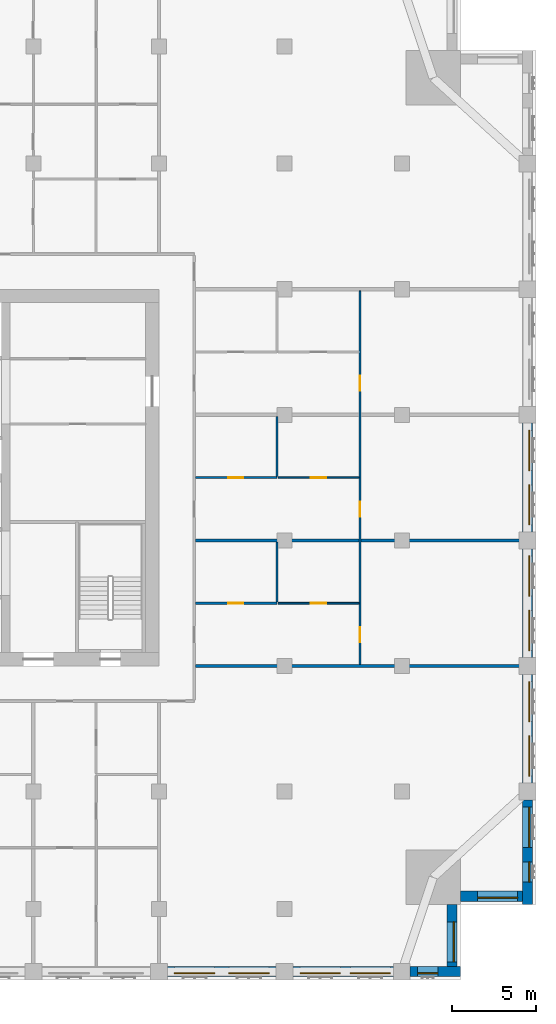
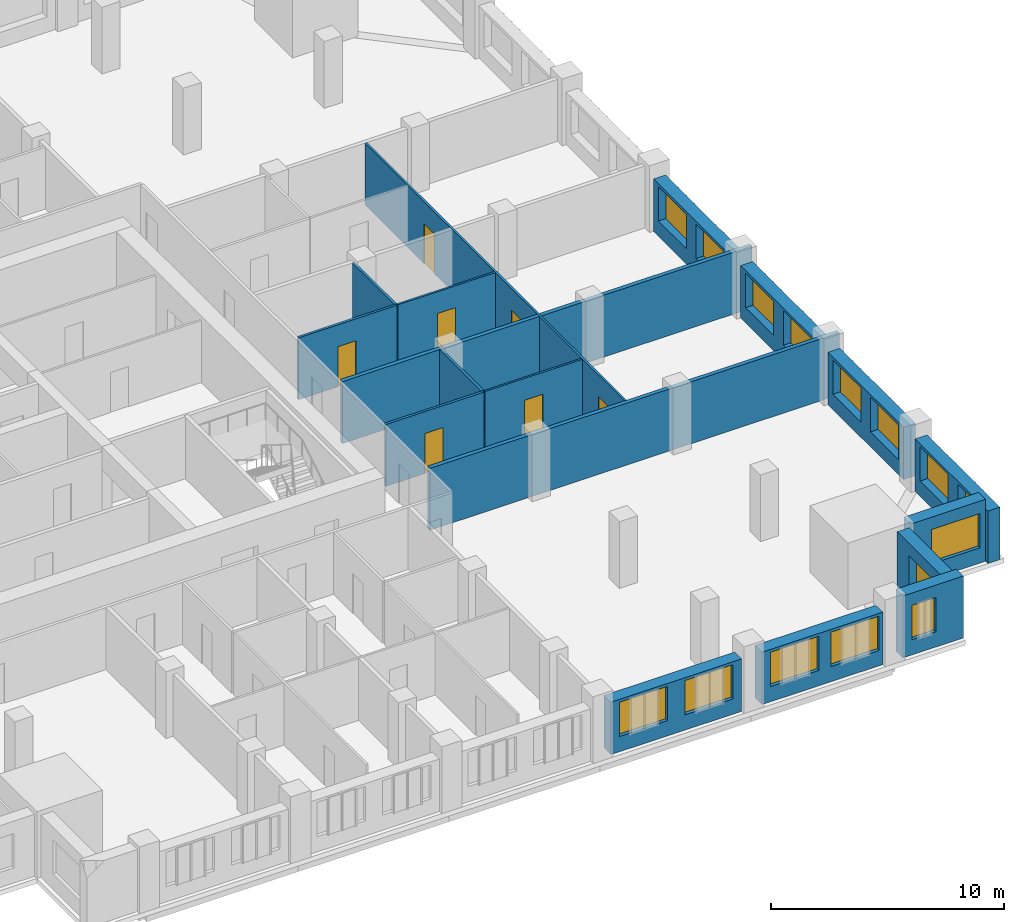
# One storey, part 8 of 14: 18 walls, 15 windows, 7 doors, 22 openings.
"""IFC4 building model written with IfcOpenShell, lengths in metres."""

from ifc_helpers import new_model, si_unit, direction, frame, frame_2d, origin, place, context, subcontext, project, spatial, rectangle, extrude, material, layer, layer_set, type_object, element, fill, save


model = new_model("IFC4")

# Units and contexts
model_context = context("Model", 3, precision=1e-05, world=origin(), true_north=direction((0.0, 1.0)))
body_context = subcontext(model_context, "Body", "Model", "MODEL_VIEW")
ifc_project = project(units=[si_unit("LENGTHUNIT", "METRE"), si_unit("AREAUNIT", "SQUARE_METRE"), si_unit("VOLUMEUNIT", "CUBIC_METRE"), si_unit("PLANEANGLEUNIT", "RADIAN"), si_unit("MASSUNIT", "GRAM", prefix="KILO")], contexts=[model_context])

# Site, building, storey
site_placement = place(None, origin())
site = spatial("IfcSite", under=ifc_project, at=site_placement, CompositionType="ELEMENT")
building_placement = place(site_placement, origin())
building = spatial("IfcBuilding", under=site, at=building_placement, Name="Tamorin Gate", CompositionType="ELEMENT")
storey_placement = place(building_placement, frame((0.0, 0.0, 203.699951171875)))
storey = spatial("IfcBuildingStorey", under=building, at=storey_placement, Name="L50", CompositionType="ELEMENT", Elevation=203.699951171875)

# Wall, openings, windows
ifc_material_1 = material(Name="Precast concrete C40/50", Category="concrete")
ifc_layer_1 = layer(ifc_material_1, 0.60009765625)
ifc_layer_set_1 = layer_set([ifc_layer_1], Name="Precast concrete C40/50")
wall_type_1 = type_object("IfcWallType", Name="Board-marked concrete facade panel 600", PredefinedType="SOLIDWALL", material=ifc_layer_set_1)
wall_1_placement = place(storey_placement, frame((60.5, 41.75, 0.0), z_axis=(0.0, 0.0, 1.0), x_axis=(1.0, 0.0, 0.0)))
wall_1 = element("IfcWall", 1, at=wall_1_placement, inside=storey, type_object=wall_type_1, Name="Facade panel", PredefinedType="SOLIDWALL", context=body_context, shape_type="SweptSolid", body=[
    extrude(rectangle(XDim=6.5, YDim=0.60009765625, at=frame_2d((3.25, 0.0))), origin(), (0.0, 0.0, 1.0), 2.75),
])
opening_1_placement = place(wall_1_placement, frame((0.425048828125, 0.0, 0.800048828125)))
opening_1 = element("IfcOpeningElement", 2, at=opening_1_placement, cuts=wall_1, Name="Opening WN1", PredefinedType="OPENING", context=body_context, shape_type="SweptSolid", body=[
    extrude(rectangle(XDim=2.39990234375, YDim=1.800048828125, at=frame_2d((1.199951171875, 0.89990234375))), frame((0.0, 0.31005859375, 0.0), z_axis=(0.0, -1.0, 0.0), x_axis=(1.0, 0.0, 0.0)), (0.0, 0.0, 1.0), 0.6201171875),
])
opening_2_placement = place(wall_1_placement, frame((3.675048828125, 0.0, 0.800048828125)))
opening_2 = element("IfcOpeningElement", 3, at=opening_2_placement, cuts=wall_1, Name="Opening WN1", PredefinedType="OPENING", context=body_context, shape_type="SweptSolid", body=[
    extrude(rectangle(XDim=2.39990234375, YDim=1.800048828125, at=frame_2d((1.199951171875, 0.89990234375))), frame((0.0, 0.31005859375, 0.0), z_axis=(0.0, -1.0, 0.0), x_axis=(1.0, 0.0, 0.0)), (0.0, 0.0, 1.0), 0.6201171875),
])
ifc_material_2 = material(Name="Clear glass in aluminium frame", Category="aluminium")
window_type_1 = type_object("IfcWindowType", Name="Deep-set window 2400x1800", PartitioningType="SINGLE_PANEL", PredefinedType="WINDOW", material=ifc_material_2)
window_1_placement = place(opening_1_placement, origin())
window_1 = element("IfcWindow", 4, at=window_1_placement, inside=storey, type_object=window_type_1, Name="Deep-set window", OverallHeight=1.800048828125, OverallWidth=2.39990234375, PartitioningType="SINGLE_PANEL", PredefinedType="WINDOW", context=body_context, shape_type="SweptSolid", body=[
    extrude(rectangle(XDim=2.39990234375, YDim=1.800048828125, at=frame_2d((1.199951171875, 0.89990234375))), frame((0.0, -0.070068359375, 0.0), z_axis=(0.0, -1.0, 0.0), x_axis=(1.0, 0.0, 0.0)), (0.0, 0.0, 1.0), 0.06005859375),
])
fill(opening_1, window_1)
window_2_placement = place(opening_2_placement, origin())
window_2 = element("IfcWindow", 5, at=window_2_placement, inside=storey, type_object=window_type_1, Name="Deep-set window", OverallHeight=1.800048828125, OverallWidth=2.39990234375, PartitioningType="SINGLE_PANEL", PredefinedType="WINDOW", context=body_context, shape_type="SweptSolid", body=[
    extrude(rectangle(XDim=2.39990234375, YDim=1.800048828125, at=frame_2d((1.199951171875, 0.89990234375))), frame((0.0, -0.070068359375, 0.0), z_axis=(0.0, -1.0, 0.0), x_axis=(1.0, 0.0, 0.0)), (0.0, 0.0, 1.0), 0.06005859375),
])
fill(opening_2, window_2)

wall_2_placement = place(storey_placement, frame((68.0, 41.75, 0.0), z_axis=(0.0, 0.0, 1.0), x_axis=(1.0, 0.0, 0.0)))
wall_2 = element("IfcWall", 6, at=wall_2_placement, inside=storey, type_object=wall_type_1, Name="Facade panel", PredefinedType="SOLIDWALL", context=body_context, shape_type="SweptSolid", body=[
    extrude(rectangle(XDim=6.0, YDim=0.60009765625, at=frame_2d((3.0, 0.0))), origin(), (0.0, 0.0, 1.0), 2.75),
])
opening_3_placement = place(wall_2_placement, frame((0.425048828125, 0.0, 0.800048828125)))
opening_3 = element("IfcOpeningElement", 7, at=opening_3_placement, cuts=wall_2, Name="Opening WN1", PredefinedType="OPENING", context=body_context, shape_type="SweptSolid", body=[
    extrude(rectangle(XDim=2.39990234375, YDim=1.800048828125, at=frame_2d((1.199951171875, 0.89990234375))), frame((0.0, 0.31005859375, 0.0), z_axis=(0.0, -1.0, 0.0), x_axis=(1.0, 0.0, 0.0)), (0.0, 0.0, 1.0), 0.6201171875),
])
opening_4_placement = place(wall_2_placement, frame((3.425048828125, 0.0, 0.800048828125)))
opening_4 = element("IfcOpeningElement", 8, at=opening_4_placement, cuts=wall_2, Name="Opening WN1", PredefinedType="OPENING", context=body_context, shape_type="SweptSolid", body=[
    extrude(rectangle(XDim=2.39990234375, YDim=1.800048828125, at=frame_2d((1.199951171875, 0.89990234375))), frame((0.0, 0.31005859375, 0.0), z_axis=(0.0, -1.0, 0.0), x_axis=(1.0, 0.0, 0.0)), (0.0, 0.0, 1.0), 0.6201171875),
])
window_3_placement = place(opening_3_placement, origin())
window_3 = element("IfcWindow", 9, at=window_3_placement, inside=storey, type_object=window_type_1, Name="Deep-set window", OverallHeight=1.800048828125, OverallWidth=2.39990234375, PartitioningType="SINGLE_PANEL", PredefinedType="WINDOW", context=body_context, shape_type="SweptSolid", body=[
    extrude(rectangle(XDim=2.39990234375, YDim=1.800048828125, at=frame_2d((1.199951171875, 0.89990234375))), frame((0.0, -0.070068359375, 0.0), z_axis=(0.0, -1.0, 0.0), x_axis=(1.0, 0.0, 0.0)), (0.0, 0.0, 1.0), 0.06005859375),
])
fill(opening_3, window_3)
window_4_placement = place(opening_4_placement, origin())
window_4 = element("IfcWindow", 10, at=window_4_placement, inside=storey, type_object=window_type_1, Name="Deep-set window", OverallHeight=1.800048828125, OverallWidth=2.39990234375, PartitioningType="SINGLE_PANEL", PredefinedType="WINDOW", context=body_context, shape_type="SweptSolid", body=[
    extrude(rectangle(XDim=2.39990234375, YDim=1.800048828125, at=frame_2d((1.199951171875, 0.89990234375))), frame((0.0, -0.070068359375, 0.0), z_axis=(0.0, -1.0, 0.0), x_axis=(1.0, 0.0, 0.0)), (0.0, 0.0, 1.0), 0.06005859375),
])
fill(opening_4, window_4)

# Wall, opening, window
wall_3_placement = place(storey_placement, frame((75.0, 41.75, 0.0), z_axis=(0.0, 0.0, 1.0), x_axis=(1.0, 0.0, 0.0)))
wall_3 = element("IfcWall", 11, at=wall_3_placement, inside=storey, type_object=wall_type_1, Name="Facade panel", PredefinedType="SOLIDWALL", context=body_context, shape_type="SweptSolid", body=[
    extrude(rectangle(XDim=3.0, YDim=0.60009765625, at=frame_2d((1.5, 0.0))), origin(), (0.0, 0.0, 1.0), 3.25),
])
opening_5_placement = place(wall_3_placement, frame((0.449951171875, 0.0, 0.800048828125)))
opening_5 = element("IfcOpeningElement", 12, at=opening_5_placement, cuts=wall_3, Name="Opening WN3", PredefinedType="OPENING", context=body_context, shape_type="SweptSolid", body=[
    extrude(rectangle(XDim=1.199951171875, YDim=1.800048828125, at=frame_2d((0.60009765625, 0.89990234375))), frame((0.0, 0.31005859375, 0.0), z_axis=(0.0, -1.0, 0.0), x_axis=(1.0, 0.0, 0.0)), (0.0, 0.0, 1.0), 0.6201171875),
])
window_type_2 = type_object("IfcWindowType", Name="Deep-set window 1200x1800", PartitioningType="SINGLE_PANEL", PredefinedType="WINDOW", material=ifc_material_2)
window_5_placement = place(opening_5_placement, origin())
window_5 = element("IfcWindow", 13, at=window_5_placement, inside=storey, type_object=window_type_2, Name="Deep-set window", OverallHeight=1.800048828125, OverallWidth=1.199951171875, PartitioningType="SINGLE_PANEL", PredefinedType="WINDOW", context=body_context, shape_type="SweptSolid", body=[
    extrude(rectangle(XDim=1.199951171875, YDim=1.800048828125, at=frame_2d((0.60009765625, 0.89990234375))), frame((0.0, -0.070068359375, 0.0), z_axis=(0.0, -1.0, 0.0), x_axis=(1.0, 0.0, 0.0)), (0.0, 0.0, 1.0), 0.06005859375),
])
fill(opening_5, window_5)

wall_4_placement = place(storey_placement, frame((77.5, 42.050048828125, 0.0), z_axis=(0.0, 0.0, 1.0), x_axis=(0.0, 1.0, 0.0)))
wall_4 = element("IfcWall", 14, at=wall_4_placement, inside=storey, type_object=wall_type_1, Name="Facade panel", PredefinedType="SOLIDWALL", context=body_context, shape_type="SweptSolid", body=[
    extrude(rectangle(XDim=3.699951171875, YDim=0.60009765625, at=frame_2d((1.85009765625, 0.0))), origin(), (0.0, 0.0, 1.0), 3.25),
])
opening_6_placement = place(wall_4_placement, frame((0.27490234375, 0.0, 0.800048828125)))
opening_6 = element("IfcOpeningElement", 15, at=opening_6_placement, cuts=wall_4, Name="Opening WN1", PredefinedType="OPENING", context=body_context, shape_type="SweptSolid", body=[
    extrude(rectangle(XDim=2.39990234375, YDim=1.800048828125, at=frame_2d((1.199951171875, 0.89990234375))), frame((0.0, 0.31005859375, 0.0), z_axis=(0.0, -1.0, 0.0), x_axis=(1.0, 0.0, 0.0)), (0.0, 0.0, 1.0), 0.6201171875),
])
window_6_placement = place(opening_6_placement, origin())
window_6 = element("IfcWindow", 16, at=window_6_placement, inside=storey, type_object=window_type_1, Name="Deep-set window", OverallHeight=1.800048828125, OverallWidth=2.39990234375, PartitioningType="SINGLE_PANEL", PredefinedType="WINDOW", context=body_context, shape_type="SweptSolid", body=[
    extrude(rectangle(XDim=2.39990234375, YDim=1.800048828125, at=frame_2d((1.199951171875, 0.89990234375))), frame((0.0, -0.070068359375, 0.0), z_axis=(0.0, -1.0, 0.0), x_axis=(1.0, 0.0, 0.0)), (0.0, 0.0, 1.0), 0.06005859375),
])
fill(opening_6, window_6)

wall_5_placement = place(storey_placement, frame((78.0, 46.25, 0.0), z_axis=(0.0, 0.0, 1.0), x_axis=(1.0, 0.0, 0.0)))
wall_5 = element("IfcWall", 17, at=wall_5_placement, inside=storey, type_object=wall_type_1, Name="Facade panel", PredefinedType="SOLIDWALL", context=body_context, shape_type="SweptSolid", body=[
    extrude(rectangle(XDim=3.699951171875, YDim=0.60009765625, at=frame_2d((1.85009765625, 0.0))), origin(), (0.0, 0.0, 1.0), 3.25),
])
opening_7_placement = place(wall_5_placement, frame((1.02490234375, 0.0, 0.800048828125)))
opening_7 = element("IfcOpeningElement", 18, at=opening_7_placement, cuts=wall_5, Name="Opening WN1", PredefinedType="OPENING", context=body_context, shape_type="SweptSolid", body=[
    extrude(rectangle(XDim=2.39990234375, YDim=1.800048828125, at=frame_2d((1.199951171875, 0.89990234375))), frame((0.0, 0.31005859375, 0.0), z_axis=(0.0, -1.0, 0.0), x_axis=(1.0, 0.0, 0.0)), (0.0, 0.0, 1.0), 0.6201171875),
])
window_7_placement = place(opening_7_placement, origin())
window_7 = element("IfcWindow", 19, at=window_7_placement, inside=storey, type_object=window_type_1, Name="Deep-set window", OverallHeight=1.800048828125, OverallWidth=2.39990234375, PartitioningType="SINGLE_PANEL", PredefinedType="WINDOW", context=body_context, shape_type="SweptSolid", body=[
    extrude(rectangle(XDim=2.39990234375, YDim=1.800048828125, at=frame_2d((1.199951171875, 0.89990234375))), frame((0.0, -0.070068359375, 0.0), z_axis=(0.0, -1.0, 0.0), x_axis=(1.0, 0.0, 0.0)), (0.0, 0.0, 1.0), 0.06005859375),
])
fill(opening_7, window_7)

# Wall, openings, windows
wall_6_placement = place(storey_placement, frame((82.0, 45.75, 0.0), z_axis=(0.0, 0.0, 1.0), x_axis=(0.0, 1.0, 0.0)))
wall_6 = element("IfcWall", 20, at=wall_6_placement, inside=storey, type_object=wall_type_1, Name="Facade panel", PredefinedType="SOLIDWALL", context=body_context, shape_type="SweptSolid", body=[
    extrude(rectangle(XDim=6.25, YDim=0.60009765625, at=frame_2d((3.125, 0.0))), origin(), (0.0, 0.0, 1.0), 2.75),
])
opening_8_placement = place(wall_6_placement, frame((1.35009765625, 0.0, 0.800048828125)))
opening_8 = element("IfcOpeningElement", 21, at=opening_8_placement, cuts=wall_6, Name="Opening WN3", PredefinedType="OPENING", context=body_context, shape_type="SweptSolid", body=[
    extrude(rectangle(XDim=1.199951171875, YDim=1.800048828125, at=frame_2d((0.60009765625, 0.89990234375))), frame((0.0, 0.31005859375, 0.0), z_axis=(0.0, -1.0, 0.0), x_axis=(1.0, 0.0, 0.0)), (0.0, 0.0, 1.0), 0.6201171875),
])
opening_9_placement = place(wall_6_placement, frame((3.425048828125, 0.0, 0.800048828125)))
opening_9 = element("IfcOpeningElement", 22, at=opening_9_placement, cuts=wall_6, Name="Opening WN1", PredefinedType="OPENING", context=body_context, shape_type="SweptSolid", body=[
    extrude(rectangle(XDim=2.39990234375, YDim=1.800048828125, at=frame_2d((1.199951171875, 0.89990234375))), frame((0.0, 0.31005859375, 0.0), z_axis=(0.0, -1.0, 0.0), x_axis=(1.0, 0.0, 0.0)), (0.0, 0.0, 1.0), 0.6201171875),
])
window_8_placement = place(opening_8_placement, origin())
window_8 = element("IfcWindow", 23, at=window_8_placement, inside=storey, type_object=window_type_2, Name="Deep-set window", OverallHeight=1.800048828125, OverallWidth=1.199951171875, PartitioningType="SINGLE_PANEL", PredefinedType="WINDOW", context=body_context, shape_type="SweptSolid", body=[
    extrude(rectangle(XDim=1.199951171875, YDim=1.800048828125, at=frame_2d((0.60009765625, 0.89990234375))), frame((0.0, -0.070068359375, 0.0), z_axis=(0.0, -1.0, 0.0), x_axis=(1.0, 0.0, 0.0)), (0.0, 0.0, 1.0), 0.06005859375),
])
fill(opening_8, window_8)
window_9_placement = place(opening_9_placement, origin())
window_9 = element("IfcWindow", 24, at=window_9_placement, inside=storey, type_object=window_type_1, Name="Deep-set window", OverallHeight=1.800048828125, OverallWidth=2.39990234375, PartitioningType="SINGLE_PANEL", PredefinedType="WINDOW", context=body_context, shape_type="SweptSolid", body=[
    extrude(rectangle(XDim=2.39990234375, YDim=1.800048828125, at=frame_2d((1.199951171875, 0.89990234375))), frame((0.0, -0.070068359375, 0.0), z_axis=(0.0, -1.0, 0.0), x_axis=(1.0, 0.0, 0.0)), (0.0, 0.0, 1.0), 0.06005859375),
])
fill(opening_9, window_9)

wall_7_placement = place(storey_placement, frame((82.0, 53.0, 0.0), z_axis=(0.0, 0.0, 1.0), x_axis=(0.0, 1.0, 0.0)))
wall_7 = element("IfcWall", 25, at=wall_7_placement, inside=storey, type_object=wall_type_1, Name="Facade panel", PredefinedType="SOLIDWALL", context=body_context, shape_type="SweptSolid", body=[
    extrude(rectangle(XDim=6.5, YDim=0.60009765625, at=frame_2d((3.25, 0.0))), origin(), (0.0, 0.0, 1.0), 2.75),
])
opening_10_placement = place(wall_7_placement, frame((0.425048828125, 0.0, 0.800048828125)))
opening_10 = element("IfcOpeningElement", 26, at=opening_10_placement, cuts=wall_7, Name="Opening WN1", PredefinedType="OPENING", context=body_context, shape_type="SweptSolid", body=[
    extrude(rectangle(XDim=2.39990234375, YDim=1.800048828125, at=frame_2d((1.199951171875, 0.89990234375))), frame((0.0, 0.31005859375, 0.0), z_axis=(0.0, -1.0, 0.0), x_axis=(1.0, 0.0, 0.0)), (0.0, 0.0, 1.0), 0.6201171875),
])
opening_11_placement = place(wall_7_placement, frame((3.675048828125, 0.0, 0.800048828125)))
opening_11 = element("IfcOpeningElement", 27, at=opening_11_placement, cuts=wall_7, Name="Opening WN1", PredefinedType="OPENING", context=body_context, shape_type="SweptSolid", body=[
    extrude(rectangle(XDim=2.39990234375, YDim=1.800048828125, at=frame_2d((1.199951171875, 0.89990234375))), frame((0.0, 0.31005859375, 0.0), z_axis=(0.0, -1.0, 0.0), x_axis=(1.0, 0.0, 0.0)), (0.0, 0.0, 1.0), 0.6201171875),
])
window_10_placement = place(opening_10_placement, origin())
window_10 = element("IfcWindow", 28, at=window_10_placement, inside=storey, type_object=window_type_1, Name="Deep-set window", OverallHeight=1.800048828125, OverallWidth=2.39990234375, PartitioningType="SINGLE_PANEL", PredefinedType="WINDOW", context=body_context, shape_type="SweptSolid", body=[
    extrude(rectangle(XDim=2.39990234375, YDim=1.800048828125, at=frame_2d((1.199951171875, 0.89990234375))), frame((0.0, -0.070068359375, 0.0), z_axis=(0.0, -1.0, 0.0), x_axis=(1.0, 0.0, 0.0)), (0.0, 0.0, 1.0), 0.06005859375),
])
fill(opening_10, window_10)
window_11_placement = place(opening_11_placement, origin())
window_11 = element("IfcWindow", 29, at=window_11_placement, inside=storey, type_object=window_type_1, Name="Deep-set window", OverallHeight=1.800048828125, OverallWidth=2.39990234375, PartitioningType="SINGLE_PANEL", PredefinedType="WINDOW", context=body_context, shape_type="SweptSolid", body=[
    extrude(rectangle(XDim=2.39990234375, YDim=1.800048828125, at=frame_2d((1.199951171875, 0.89990234375))), frame((0.0, -0.070068359375, 0.0), z_axis=(0.0, -1.0, 0.0), x_axis=(1.0, 0.0, 0.0)), (0.0, 0.0, 1.0), 0.06005859375),
])
fill(opening_11, window_11)

wall_8_placement = place(storey_placement, frame((82.0, 60.5, 0.0), z_axis=(0.0, 0.0, 1.0), x_axis=(0.0, 1.0, 0.0)))
wall_8 = element("IfcWall", 30, at=wall_8_placement, inside=storey, type_object=wall_type_1, Name="Facade panel", PredefinedType="SOLIDWALL", context=body_context, shape_type="SweptSolid", body=[
    extrude(rectangle(XDim=6.5, YDim=0.60009765625, at=frame_2d((3.25, 0.0))), origin(), (0.0, 0.0, 1.0), 2.75),
])
opening_12_placement = place(wall_8_placement, frame((0.425048828125, 0.0, 0.800048828125)))
opening_12 = element("IfcOpeningElement", 31, at=opening_12_placement, cuts=wall_8, Name="Opening WN1", PredefinedType="OPENING", context=body_context, shape_type="SweptSolid", body=[
    extrude(rectangle(XDim=2.39990234375, YDim=1.800048828125, at=frame_2d((1.199951171875, 0.89990234375))), frame((0.0, 0.31005859375, 0.0), z_axis=(0.0, -1.0, 0.0), x_axis=(1.0, 0.0, 0.0)), (0.0, 0.0, 1.0), 0.6201171875),
])
opening_13_placement = place(wall_8_placement, frame((3.675048828125, 0.0, 0.800048828125)))
opening_13 = element("IfcOpeningElement", 32, at=opening_13_placement, cuts=wall_8, Name="Opening WN1", PredefinedType="OPENING", context=body_context, shape_type="SweptSolid", body=[
    extrude(rectangle(XDim=2.39990234375, YDim=1.800048828125, at=frame_2d((1.199951171875, 0.89990234375))), frame((0.0, 0.31005859375, 0.0), z_axis=(0.0, -1.0, 0.0), x_axis=(1.0, 0.0, 0.0)), (0.0, 0.0, 1.0), 0.6201171875),
])
window_12_placement = place(opening_12_placement, origin())
window_12 = element("IfcWindow", 33, at=window_12_placement, inside=storey, type_object=window_type_1, Name="Deep-set window", OverallHeight=1.800048828125, OverallWidth=2.39990234375, PartitioningType="SINGLE_PANEL", PredefinedType="WINDOW", context=body_context, shape_type="SweptSolid", body=[
    extrude(rectangle(XDim=2.39990234375, YDim=1.800048828125, at=frame_2d((1.199951171875, 0.89990234375))), frame((0.0, -0.070068359375, 0.0), z_axis=(0.0, -1.0, 0.0), x_axis=(1.0, 0.0, 0.0)), (0.0, 0.0, 1.0), 0.06005859375),
])
fill(opening_12, window_12)
window_13_placement = place(opening_13_placement, origin())
window_13 = element("IfcWindow", 34, at=window_13_placement, inside=storey, type_object=window_type_1, Name="Deep-set window", OverallHeight=1.800048828125, OverallWidth=2.39990234375, PartitioningType="SINGLE_PANEL", PredefinedType="WINDOW", context=body_context, shape_type="SweptSolid", body=[
    extrude(rectangle(XDim=2.39990234375, YDim=1.800048828125, at=frame_2d((1.199951171875, 0.89990234375))), frame((0.0, -0.070068359375, 0.0), z_axis=(0.0, -1.0, 0.0), x_axis=(1.0, 0.0, 0.0)), (0.0, 0.0, 1.0), 0.06005859375),
])
fill(opening_13, window_13)

wall_9_placement = place(storey_placement, frame((82.0, 68.0, 0.0), z_axis=(0.0, 0.0, 1.0), x_axis=(0.0, 1.0, 0.0)))
wall_9 = element("IfcWall", 35, at=wall_9_placement, inside=storey, type_object=wall_type_1, Name="Facade panel", PredefinedType="SOLIDWALL", context=body_context, shape_type="SweptSolid", body=[
    extrude(rectangle(XDim=6.5, YDim=0.60009765625, at=frame_2d((3.25, 0.0))), origin(), (0.0, 0.0, 1.0), 2.75),
])
opening_14_placement = place(wall_9_placement, frame((0.425048828125, 0.0, 0.800048828125)))
opening_14 = element("IfcOpeningElement", 36, at=opening_14_placement, cuts=wall_9, Name="Opening WN1", PredefinedType="OPENING", context=body_context, shape_type="SweptSolid", body=[
    extrude(rectangle(XDim=2.39990234375, YDim=1.800048828125, at=frame_2d((1.199951171875, 0.89990234375))), frame((0.0, 0.31005859375, 0.0), z_axis=(0.0, -1.0, 0.0), x_axis=(1.0, 0.0, 0.0)), (0.0, 0.0, 1.0), 0.6201171875),
])
opening_15_placement = place(wall_9_placement, frame((3.675048828125, 0.0, 0.800048828125)))
opening_15 = element("IfcOpeningElement", 37, at=opening_15_placement, cuts=wall_9, Name="Opening WN1", PredefinedType="OPENING", context=body_context, shape_type="SweptSolid", body=[
    extrude(rectangle(XDim=2.39990234375, YDim=1.800048828125, at=frame_2d((1.199951171875, 0.89990234375))), frame((0.0, 0.31005859375, 0.0), z_axis=(0.0, -1.0, 0.0), x_axis=(1.0, 0.0, 0.0)), (0.0, 0.0, 1.0), 0.6201171875),
])
window_14_placement = place(opening_14_placement, origin())
window_14 = element("IfcWindow", 38, at=window_14_placement, inside=storey, type_object=window_type_1, Name="Deep-set window", OverallHeight=1.800048828125, OverallWidth=2.39990234375, PartitioningType="SINGLE_PANEL", PredefinedType="WINDOW", context=body_context, shape_type="SweptSolid", body=[
    extrude(rectangle(XDim=2.39990234375, YDim=1.800048828125, at=frame_2d((1.199951171875, 0.89990234375))), frame((0.0, -0.070068359375, 0.0), z_axis=(0.0, -1.0, 0.0), x_axis=(1.0, 0.0, 0.0)), (0.0, 0.0, 1.0), 0.06005859375),
])
fill(opening_14, window_14)
window_15_placement = place(opening_15_placement, origin())
window_15 = element("IfcWindow", 39, at=window_15_placement, inside=storey, type_object=window_type_1, Name="Deep-set window", OverallHeight=1.800048828125, OverallWidth=2.39990234375, PartitioningType="SINGLE_PANEL", PredefinedType="WINDOW", context=body_context, shape_type="SweptSolid", body=[
    extrude(rectangle(XDim=2.39990234375, YDim=1.800048828125, at=frame_2d((1.199951171875, 0.89990234375))), frame((0.0, -0.070068359375, 0.0), z_axis=(0.0, -1.0, 0.0), x_axis=(1.0, 0.0, 0.0)), (0.0, 0.0, 1.0), 0.06005859375),
])
fill(opening_15, window_15)

# Walls
ifc_material_3 = material(Name="Gypsum board partition")
ifc_layer_2 = layer(ifc_material_3, 0.199951171875)
ifc_layer_set_2 = layer_set([ifc_layer_2], Name="Demising wall 200")
wall_type_2 = type_object("IfcWallType", Name="Demising wall 200", PredefinedType="PARTITIONING", material=ifc_layer_set_2)
for number, where, z_axis, x_axis, name in (
    (40, (62.175048828125, 60.0, 0.0), (0.0, 0.0, 1.0), (1.0, 0.0, 0.0), "Demising wall 200"),
    (41, (62.175048828125, 67.5, 0.0), (0.0, 0.0, 1.0), (1.0, 0.0, 0.0), "Demising wall 200"),
):
    element("IfcWall", number, at=place(storey_placement, frame(where, z_axis=z_axis, x_axis=x_axis)), inside=storey, type_object=wall_type_2, Name=name, PredefinedType="PARTITIONING", context=body_context, shape_type="SweptSolid", body=[
        extrude(rectangle(XDim=20.324951171875, YDim=0.199951171875, at=frame_2d((10.16259765625, 0.0))), origin(), (0.0, 0.0, 1.0), 3.25),
    ])

# Wall, opening, door
ifc_layer_3 = layer(ifc_material_3, 0.10009765625)
ifc_layer_set_3 = layer_set([ifc_layer_3], Name="Room partition 100")
wall_type_3 = type_object("IfcWallType", Name="Room partition 100", PredefinedType="PARTITIONING", material=ifc_layer_set_3)
wall_10_placement = place(storey_placement, frame((67.112548828125, 63.75, 0.0), z_axis=(0.0, 0.0, 1.0), x_axis=(1.0, 0.0, 0.0)))
wall_10 = element("IfcWall", 42, at=wall_10_placement, inside=storey, type_object=wall_type_3, Name="Room partition 100", PredefinedType="PARTITIONING", context=body_context, shape_type="SweptSolid", body=[
    extrude(rectangle(XDim=4.83740234375, YDim=0.10009765625, at=frame_2d((2.418701171875, 0.0))), origin(), (0.0, 0.0, 1.0), 3.25),
])
opening_16_placement = place(wall_10_placement, frame((1.96240234375, 0.0, 0.0)))
opening_16 = element("IfcOpeningElement", 43, at=opening_16_placement, cuts=wall_10, Name="Opening DR4033", PredefinedType="OPENING", context=body_context, shape_type="SweptSolid", body=[
    extrude(rectangle(XDim=0.89990234375, YDim=2.10009765625, at=frame_2d((0.449951171875, 1.050048828125))), frame((0.0, 0.06005859375, 0.0), z_axis=(0.0, -1.0, 0.0), x_axis=(1.0, 0.0, 0.0)), (0.0, 0.0, 1.0), 0.1201171875),
])
ifc_material_4 = material(Name="Timber door leaf", Category="wood")
door_type = type_object("IfcDoorType", Name="Door 900 x 2100", OperationType="NOTDEFINED", PredefinedType="DOOR", material=ifc_material_4)
door_1_placement = place(opening_16_placement, origin())
door_1 = element("IfcDoor", 44, at=door_1_placement, inside=storey, type_object=door_type, Name="Door DR4033", OperationType="SINGLE_SWING_LEFT", OverallHeight=2.10009765625, OverallWidth=0.89990234375, PredefinedType="DOOR", context=body_context, shape_type="SweptSolid", body=[
    extrude(rectangle(XDim=0.89990234375, YDim=2.10009765625, at=frame_2d((0.449951171875, 1.050048828125))), frame((0.0, 0.02490234375, 0.0), z_axis=(0.0, -1.0, 0.0), x_axis=(1.0, 0.0, 0.0)), (0.0, 0.0, 1.0), 0.050048828125),
])
fill(opening_16, door_1)

wall_11_placement = place(storey_placement, frame((67.112548828125, 71.25, 0.0), z_axis=(0.0, 0.0, 1.0), x_axis=(1.0, 0.0, 0.0)))
wall_11 = element("IfcWall", 45, at=wall_11_placement, inside=storey, type_object=wall_type_3, Name="Room partition 100", PredefinedType="PARTITIONING", context=body_context, shape_type="SweptSolid", body=[
    extrude(rectangle(XDim=4.83740234375, YDim=0.10009765625, at=frame_2d((2.418701171875, 0.0))), origin(), (0.0, 0.0, 1.0), 3.25),
])
opening_17_placement = place(wall_11_placement, frame((1.96240234375, 0.0, 0.0)))
opening_17 = element("IfcOpeningElement", 46, at=opening_17_placement, cuts=wall_11, Name="Opening DR4037", PredefinedType="OPENING", context=body_context, shape_type="SweptSolid", body=[
    extrude(rectangle(XDim=0.89990234375, YDim=2.10009765625, at=frame_2d((0.449951171875, 1.050048828125))), frame((0.0, 0.06005859375, 0.0), z_axis=(0.0, -1.0, 0.0), x_axis=(1.0, 0.0, 0.0)), (0.0, 0.0, 1.0), 0.1201171875),
])
door_2_placement = place(opening_17_placement, origin())
door_2 = element("IfcDoor", 47, at=door_2_placement, inside=storey, type_object=door_type, Name="Door DR4037", OperationType="SINGLE_SWING_LEFT", OverallHeight=2.10009765625, OverallWidth=0.89990234375, PredefinedType="DOOR", context=body_context, shape_type="SweptSolid", body=[
    extrude(rectangle(XDim=0.89990234375, YDim=2.10009765625, at=frame_2d((0.449951171875, 1.050048828125))), frame((0.0, 0.02490234375, 0.0), z_axis=(0.0, -1.0, 0.0), x_axis=(1.0, 0.0, 0.0)), (0.0, 0.0, 1.0), 0.050048828125),
])
fill(opening_17, door_2)

# Wall, openings, doors
wall_12_placement = place(storey_placement, frame((72.0, 60.10009765625, 0.0), z_axis=(0.0, 0.0, 1.0), x_axis=(0.0, 1.0, 0.0)))
wall_12 = element("IfcWall", 48, at=wall_12_placement, inside=storey, type_object=wall_type_3, Name="Room partition 100", PredefinedType="PARTITIONING", context=body_context, shape_type="SweptSolid", body=[
    extrude(rectangle(XDim=22.2998046875, YDim=0.10009765625, at=frame_2d((11.14990234375, 0.0))), origin(), (0.0, 0.0, 1.0), 3.25),
])
opening_18_placement = place(wall_12_placement, frame((1.324951171875, 0.0, 0.0)))
opening_18 = element("IfcOpeningElement", 49, at=opening_18_placement, cuts=wall_12, Name="Opening DR4032", PredefinedType="OPENING", context=body_context, shape_type="SweptSolid", body=[
    extrude(rectangle(XDim=0.89990234375, YDim=2.10009765625, at=frame_2d((0.449951171875, 1.050048828125))), frame((0.0, 0.06005859375, 0.0), z_axis=(0.0, -1.0, 0.0), x_axis=(1.0, 0.0, 0.0)), (0.0, 0.0, 1.0), 0.1201171875),
])
opening_19_placement = place(wall_12_placement, frame((8.824951171875, 0.0, 0.0)))
opening_19 = element("IfcOpeningElement", 50, at=opening_19_placement, cuts=wall_12, Name="Opening DR4036", PredefinedType="OPENING", context=body_context, shape_type="SweptSolid", body=[
    extrude(rectangle(XDim=0.89990234375, YDim=2.10009765625, at=frame_2d((0.449951171875, 1.050048828125))), frame((0.0, 0.06005859375, 0.0), z_axis=(0.0, -1.0, 0.0), x_axis=(1.0, 0.0, 0.0)), (0.0, 0.0, 1.0), 0.1201171875),
])
opening_20_placement = place(wall_12_placement, frame((16.324951171875, 0.0, 0.0)))
opening_20 = element("IfcOpeningElement", 51, at=opening_20_placement, cuts=wall_12, Name="Opening DR4040", PredefinedType="OPENING", context=body_context, shape_type="SweptSolid", body=[
    extrude(rectangle(XDim=0.89990234375, YDim=2.10009765625, at=frame_2d((0.449951171875, 1.050048828125))), frame((0.0, 0.06005859375, 0.0), z_axis=(0.0, -1.0, 0.0), x_axis=(1.0, 0.0, 0.0)), (0.0, 0.0, 1.0), 0.1201171875),
])
door_3_placement = place(opening_18_placement, origin())
door_3 = element("IfcDoor", 52, at=door_3_placement, inside=storey, type_object=door_type, Name="Door DR4032", OperationType="SINGLE_SWING_LEFT", OverallHeight=2.10009765625, OverallWidth=0.89990234375, PredefinedType="DOOR", context=body_context, shape_type="SweptSolid", body=[
    extrude(rectangle(XDim=0.89990234375, YDim=2.10009765625, at=frame_2d((0.449951171875, 1.050048828125))), frame((0.0, 0.02490234375, 0.0), z_axis=(0.0, -1.0, 0.0), x_axis=(1.0, 0.0, 0.0)), (0.0, 0.0, 1.0), 0.050048828125),
])
fill(opening_18, door_3)
door_4_placement = place(opening_19_placement, origin())
door_4 = element("IfcDoor", 53, at=door_4_placement, inside=storey, type_object=door_type, Name="Door DR4036", OperationType="SINGLE_SWING_LEFT", OverallHeight=2.10009765625, OverallWidth=0.89990234375, PredefinedType="DOOR", context=body_context, shape_type="SweptSolid", body=[
    extrude(rectangle(XDim=0.89990234375, YDim=2.10009765625, at=frame_2d((0.449951171875, 1.050048828125))), frame((0.0, 0.02490234375, 0.0), z_axis=(0.0, -1.0, 0.0), x_axis=(1.0, 0.0, 0.0)), (0.0, 0.0, 1.0), 0.050048828125),
])
fill(opening_19, door_4)
door_5_placement = place(opening_20_placement, origin())
door_5 = element("IfcDoor", 54, at=door_5_placement, inside=storey, type_object=door_type, Name="Door DR4040", OperationType="SINGLE_SWING_LEFT", OverallHeight=2.10009765625, OverallWidth=0.89990234375, PredefinedType="DOOR", context=body_context, shape_type="SweptSolid", body=[
    extrude(rectangle(XDim=0.89990234375, YDim=2.10009765625, at=frame_2d((0.449951171875, 1.050048828125))), frame((0.0, 0.02490234375, 0.0), z_axis=(0.0, -1.0, 0.0), x_axis=(1.0, 0.0, 0.0)), (0.0, 0.0, 1.0), 0.050048828125),
])
fill(opening_20, door_5)

# Wall, opening, door
ifc_layer_4 = layer(ifc_material_3, 0.125)
ifc_layer_set_4 = layer_set([ifc_layer_4], Name="Wet wall 125")
wall_type_4 = type_object("IfcWallType", Name="Wet wall 125", PredefinedType="PARTITIONING", material=ifc_layer_set_4)
wall_13_placement = place(storey_placement, frame((62.175048828125, 63.75, 0.0), z_axis=(0.0, 0.0, 1.0), x_axis=(1.0, 0.0, 0.0)))
wall_13 = element("IfcWall", 55, at=wall_13_placement, inside=storey, type_object=wall_type_4, Name="Wet wall 125", PredefinedType="PARTITIONING", context=body_context, shape_type="SweptSolid", body=[
    extrude(rectangle(XDim=4.875, YDim=0.125, at=frame_2d((2.4375, 0.0))), origin(), (0.0, 0.0, 1.0), 3.25),
])
opening_21_placement = place(wall_13_placement, frame((1.949951171875, 0.0, 0.0)))
opening_21 = element("IfcOpeningElement", 56, at=opening_21_placement, cuts=wall_13, Name="Opening DR4034", PredefinedType="OPENING", context=body_context, shape_type="SweptSolid", body=[
    extrude(rectangle(XDim=0.89990234375, YDim=2.10009765625, at=frame_2d((0.449951171875, 1.050048828125))), frame((0.0, 0.072509765625, 0.0), z_axis=(0.0, -1.0, 0.0), x_axis=(1.0, 0.0, 0.0)), (0.0, 0.0, 1.0), 0.14501953125),
])
door_6_placement = place(opening_21_placement, origin())
door_6 = element("IfcDoor", 57, at=door_6_placement, inside=storey, type_object=door_type, Name="Door DR4034", OperationType="SINGLE_SWING_RIGHT", OverallHeight=2.10009765625, OverallWidth=0.89990234375, PredefinedType="DOOR", context=body_context, shape_type="SweptSolid", body=[
    extrude(rectangle(XDim=0.89990234375, YDim=2.10009765625, at=frame_2d((0.449951171875, 1.050048828125))), frame((0.0, 0.02490234375, 0.0), z_axis=(0.0, -1.0, 0.0), x_axis=(1.0, 0.0, 0.0)), (0.0, 0.0, 1.0), 0.050048828125),
])
fill(opening_21, door_6)

wall_14_placement = place(storey_placement, frame((62.175048828125, 71.25, 0.0), z_axis=(0.0, 0.0, 1.0), x_axis=(1.0, 0.0, 0.0)))
wall_14 = element("IfcWall", 58, at=wall_14_placement, inside=storey, type_object=wall_type_4, Name="Wet wall 125", PredefinedType="PARTITIONING", context=body_context, shape_type="SweptSolid", body=[
    extrude(rectangle(XDim=4.875, YDim=0.125, at=frame_2d((2.4375, 0.0))), origin(), (0.0, 0.0, 1.0), 3.25),
])
opening_22_placement = place(wall_14_placement, frame((1.949951171875, 0.0, 0.0)))
opening_22 = element("IfcOpeningElement", 59, at=opening_22_placement, cuts=wall_14, Name="Opening DR4038", PredefinedType="OPENING", context=body_context, shape_type="SweptSolid", body=[
    extrude(rectangle(XDim=0.89990234375, YDim=2.10009765625, at=frame_2d((0.449951171875, 1.050048828125))), frame((0.0, 0.072509765625, 0.0), z_axis=(0.0, -1.0, 0.0), x_axis=(1.0, 0.0, 0.0)), (0.0, 0.0, 1.0), 0.14501953125),
])
door_7_placement = place(opening_22_placement, origin())
door_7 = element("IfcDoor", 60, at=door_7_placement, inside=storey, type_object=door_type, Name="Door DR4038", OperationType="SINGLE_SWING_RIGHT", OverallHeight=2.10009765625, OverallWidth=0.89990234375, PredefinedType="DOOR", context=body_context, shape_type="SweptSolid", body=[
    extrude(rectangle(XDim=0.89990234375, YDim=2.10009765625, at=frame_2d((0.449951171875, 1.050048828125))), frame((0.0, 0.02490234375, 0.0), z_axis=(0.0, -1.0, 0.0), x_axis=(1.0, 0.0, 0.0)), (0.0, 0.0, 1.0), 0.050048828125),
])
fill(opening_22, door_7)

# Walls
for number, where, z_axis, x_axis, name in (
    (61, (67.050048828125, 63.8125, 0.0), (0.0, 0.0, 1.0), (0.0, 1.0, 0.0), "Wet wall 125"),
    (62, (67.050048828125, 71.3125, 0.0), (0.0, 0.0, 1.0), (0.0, 1.0, 0.0), "Wet wall 125"),
):
    element("IfcWall", number, at=place(storey_placement, frame(where, z_axis=z_axis, x_axis=x_axis)), inside=storey, type_object=wall_type_4, Name=name, PredefinedType="PARTITIONING", context=body_context, shape_type="SweptSolid", body=[
        extrude(rectangle(XDim=3.58740234375, YDim=0.125, at=frame_2d((1.793701171875, 0.0))), origin(), (0.0, 0.0, 1.0), 3.25),
    ])

save(model, "model.ifc")
